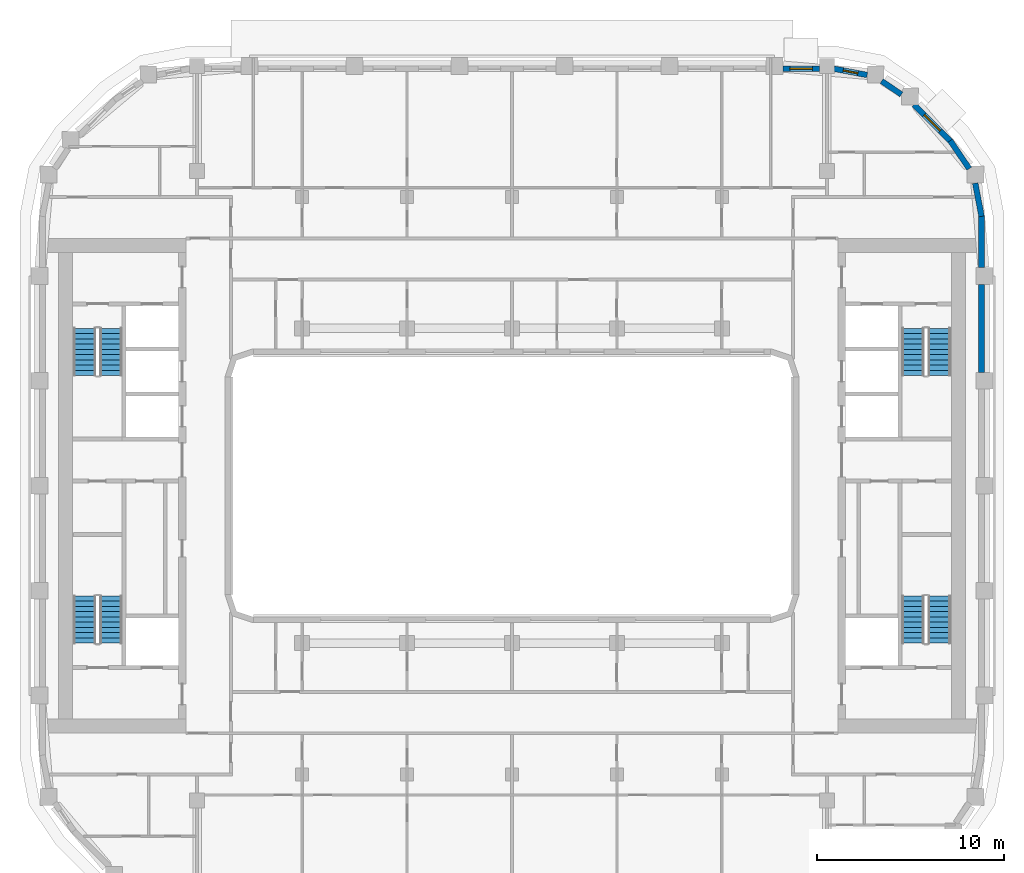
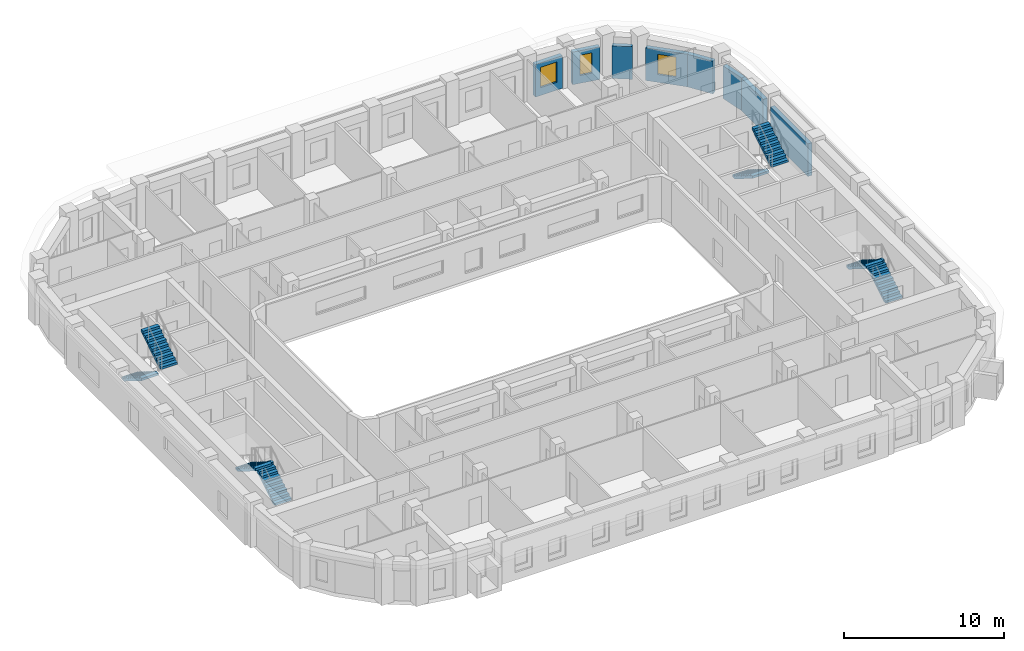
# One storey, part 9 of 21: 8 stair flights, 8 walls, 3 windows, 3 openings, 4 elements without a shape of their own.
"""IFC4 building model written with IfcOpenShell, lengths in metres."""

import ifcopenshell
import ifcopenshell.guid

model = None  # the IFC model being written
_history = None  # IfcOwnerHistory: only IFC2X3 demands one
_inside = {}  # id of a spatial element -> (the spatial element, [elements in it])
_under = {}  # id of a project, library or spatial element -> (it, [spatial elements below it])
_declared = {}  # id of a project -> (the project, [libraries it declares])
_typed = {}  # id of a type object -> (the type object, [elements of that type])
_made_of = {}  # id of a material, layer set ... -> (it, [elements and type objects made of it])


def new_model(schema):
    """Start an empty IFC model of exactly this schema.

    Asked for "IFC4X3", IfcOpenShell would pick the latest addendum, in which some entities
    have other attributes; the version numbers below select the first issue.
    IFC2X3 requires an IfcOwnerHistory on every rooted entity: one is made here for all.
    """
    global model, _history
    if schema == "IFC4X3":
        model = ifcopenshell.file(schema_version=(4, 3, 0, 0))
    else:
        model = ifcopenshell.file(schema=schema)
    _inside.clear()
    _under.clear()
    _declared.clear()
    _typed.clear()
    _made_of.clear()
    _history = None
    if model.schema == "IFC2X3":
        org = make("IfcOrganization", Name="unknown")
        user = make(
            "IfcPersonAndOrganization",
            ThePerson=make("IfcPerson", FamilyName="unknown"),
            TheOrganization=org,
        )
        app = make(
            "IfcApplication",
            ApplicationDeveloper=org,
            Version="unknown",
            ApplicationFullName="unknown",
            ApplicationIdentifier="unknown",
        )
        _history = make(
            "IfcOwnerHistory",
            OwningUser=user,
            OwningApplication=app,
            ChangeAction="ADDED",
            CreationDate=0,
        )
    return model


def make(cls, **values):
    """One entity of the class cls with the attributes given. An attribute that is None is left unset."""
    return model.create_entity(
        cls, **{name: value for name, value in values.items() if value is not None}
    )


def rooted(cls, **values):
    """An entity with a GlobalId (a new one), such as an element, a storey or a relation."""
    return make(cls, GlobalId=ifcopenshell.guid.new(), OwnerHistory=_history, **values)


def si_unit(unit_type, name, prefix=None):
    """IfcSIUnit, for example si_unit("LENGTHUNIT", "METRE", prefix="MILLI")."""
    return make("IfcSIUnit", UnitType=unit_type, Prefix=prefix, Name=name)


def assignment(units):
    """IfcUnitAssignment: the units of a project."""
    return None if units is None else make("IfcUnitAssignment", Units=units)


def point(xyz):
    """IfcCartesianPoint."""
    return None if xyz is None else make("IfcCartesianPoint", Coordinates=xyz)


def direction(xyz):
    """IfcDirection."""
    return None if xyz is None else make("IfcDirection", DirectionRatios=xyz)


def frame(location, z_axis=None, x_axis=None):
    """IfcAxis2Placement3D, a coordinate frame: its origin and axes. An axis left out is left unset."""
    return make(
        "IfcAxis2Placement3D",
        Location=point(location),
        Axis=direction(z_axis),
        RefDirection=direction(x_axis),
    )


def frame_2d(location, x_axis=None):
    """IfcAxis2Placement2D, a coordinate frame in the plane: its origin and x axis."""
    return make(
        "IfcAxis2Placement2D", Location=point(location), RefDirection=direction(x_axis)
    )


def origin():
    """The frame at (0, 0, 0) with its axes left unset."""
    return frame((0.0, 0.0, 0.0))


def place(relative_to, where):
    """IfcLocalPlacement: puts the frame where relative to a parent placement (None: the world)."""
    return make(
        "IfcLocalPlacement", PlacementRelTo=relative_to, RelativePlacement=where
    )


def context(
    kind, dimensions, precision=None, world=None, true_north=None, identifier=None
):
    """IfcGeometricRepresentationContext, for example the 3D "Model" context."""
    return make(
        "IfcGeometricRepresentationContext",
        ContextIdentifier=identifier,
        ContextType=kind,
        CoordinateSpaceDimension=dimensions,
        Precision=precision,
        WorldCoordinateSystem=world,
        TrueNorth=true_north,
    )


def subcontext(parent, identifier, kind, view, scale=None):
    """IfcGeometricRepresentationSubContext, for example "Body" below "Model"."""
    return make(
        "IfcGeometricRepresentationSubContext",
        ContextIdentifier=identifier,
        ContextType=kind,
        ParentContext=parent,
        TargetScale=scale,
        TargetView=view,
    )


def project(units=None, contexts=None):
    """IfcProject with its units and contexts."""
    return rooted(
        "IfcProject",
        Name="project",
        RepresentationContexts=contexts,
        UnitsInContext=assignment(units),
    )


def spatial(cls, under=None, at=None, **own):
    """A site, building, storey or space (cls), placed at a placement, below another one or the project."""
    s = rooted(cls, ObjectPlacement=at, **own)
    if under is not None:
        _under.setdefault(under.id(), (under, []))[1].append(s)
    return s


def polyline(points):
    """IfcPolyline through the points."""
    return make("IfcPolyline", Points=[point(p) for p in points])


def profile(cls, at=None, kind="AREA", **sizes):
    """A parametric profile (cls). Its sizes go by their IFC names, for example OverallWidth=200.0."""
    return make(cls, ProfileType=kind, Position=at, **sizes)


def rectangle(**sizes):
    """IfcRectangleProfileDef."""
    return profile("IfcRectangleProfileDef", **sizes)


def outline(outer, holes=None, kind="AREA"):
    """IfcArbitraryClosedProfileDef: a profile drawn as a closed curve; with holes, ...WithVoids."""
    if holes is None:
        return make("IfcArbitraryClosedProfileDef", ProfileType=kind, OuterCurve=outer)
    return make(
        "IfcArbitraryProfileDefWithVoids",
        ProfileType=kind,
        OuterCurve=outer,
        InnerCurves=holes,
    )


def extrude(swept, where, along, depth):
    """IfcExtrudedAreaSolid: the profile swept, set in the frame where, extruded along a direction by depth."""
    return make(
        "IfcExtrudedAreaSolid",
        SweptArea=swept,
        Position=where,
        ExtrudedDirection=direction(along),
        Depth=depth,
    )


def shape(context_of_items, identifier, shape_type, items):
    """IfcShapeRepresentation: the items that make up one representation, for example the "Body"."""
    return make(
        "IfcShapeRepresentation",
        ContextOfItems=context_of_items,
        RepresentationIdentifier=identifier,
        RepresentationType=shape_type,
        Items=items,
    )


def material(Name=None, Category=None):
    """IfcMaterial."""
    return make("IfcMaterial", Name=Name, Category=Category)


def layer(
    of_material, thickness, ventilated=None, Name=None, Category=None, Priority=None
):
    """IfcMaterialLayer: one layer of a wall or slab, of a material (None: an air gap)."""
    return make(
        "IfcMaterialLayer",
        Material=of_material,
        LayerThickness=thickness,
        IsVentilated=ventilated,
        Name=Name,
        Category=Category,
        Priority=Priority,
    )


def layer_set(layers, Name=None):
    """IfcMaterialLayerSet."""
    return make("IfcMaterialLayerSet", MaterialLayers=layers, LayerSetName=Name)


def made_of(thing, what):
    """Note that an element or type object is made of a material, layer set ...; save() writes the relation."""
    if what is not None:
        _made_of.setdefault(what.id(), (what, []))[1].append(thing)
    return thing


def type_object(cls, material=None, **own):
    """A type object (cls), such as IfcWallType, which elements share."""
    return made_of(rooted(cls, **own), material)


def element(
    cls,
    number,
    at=None,
    inside=None,
    cuts=None,
    type_object=None,
    material=None,
    context=None,
    identifier="Body",
    shape_type=None,
    held_by="IfcProductDefinitionShape",
    body=None,
    shapes=None,
    **own,
):
    """One element of the class cls, such as IfcWall. Its Tag is "e" and its number.

    at: its placement. inside: the storey or other place that contains it. cuts: it is an
    opening in that element (IfcRelVoidsElement). A single representation is given by context,
    identifier, shape_type and body (its items); several are given by shapes. held_by: the class
    of the entity that holds the representations. save() writes the other relations.
    """
    e = rooted(cls, Tag="e%d" % number, ObjectPlacement=at, **own)
    if body is not None:
        shapes = [shape(context, identifier, shape_type, body)]
    if shapes is not None:
        e.Representation = make(held_by, Representations=shapes)
    if inside is not None:
        _inside.setdefault(inside.id(), (inside, []))[1].append(e)
    if cuts is not None:
        rooted(
            "IfcRelVoidsElement", RelatingBuildingElement=cuts, RelatedOpeningElement=e
        )
    if type_object is not None:
        _typed.setdefault(type_object.id(), (type_object, []))[1].append(e)
    return made_of(e, material)


def fill(opening, filler):
    """IfcRelFillsElement: the door or window that sits in an opening."""
    return rooted(
        "IfcRelFillsElement",
        RelatingOpeningElement=opening,
        RelatedBuildingElement=filler,
    )


def aggregate(whole, parts):
    """IfcRelAggregates: a whole, such as a stair, and the parts it consists of."""
    return rooted("IfcRelAggregates", RelatingObject=whole, RelatedObjects=parts)


def save(model, path):
    """Write the relations noted so far, then the file.

    IfcRelAggregates (storeys below a building ...), IfcRelContainedInSpatialStructure (elements
    in a storey), IfcRelDefinesByType, IfcRelAssociatesMaterial and IfcRelDeclares: one each for
    every whole, place, type object, material and project.
    """
    for whole, parts in _under.values():
        aggregate(whole, parts)
    for where, things in _inside.values():
        rooted(
            "IfcRelContainedInSpatialStructure",
            RelatedElements=things,
            RelatingStructure=where,
        )
    for kind, things in _typed.values():
        rooted("IfcRelDefinesByType", RelatedObjects=things, RelatingType=kind)
    for what, things in _made_of.values():
        rooted("IfcRelAssociatesMaterial", RelatedObjects=things, RelatingMaterial=what)
    for by, libraries in _declared.values():
        rooted("IfcRelDeclares", RelatingContext=by, RelatedDefinitions=libraries)
    model.write(path)


model = new_model("IFC4")

# Units and contexts
model_context = context("Model", 3, precision=1e-05, world=origin(), true_north=direction((0.0, 1.0)))
body_context = subcontext(model_context, "Body", "Model", "MODEL_VIEW")
ifc_project = project(units=[si_unit("LENGTHUNIT", "METRE"), si_unit("AREAUNIT", "SQUARE_METRE"), si_unit("VOLUMEUNIT", "CUBIC_METRE"), si_unit("PLANEANGLEUNIT", "RADIAN"), si_unit("MASSUNIT", "GRAM", prefix="KILO")], contexts=[model_context])

# Site, building, storey
site_placement = place(None, origin())
site = spatial("IfcSite", under=ifc_project, at=site_placement, CompositionType="ELEMENT")
building_placement = place(site_placement, origin())
building = spatial("IfcBuilding", under=site, at=building_placement, Name="Kiln Ring Residences", CompositionType="ELEMENT")
storey_placement = place(building_placement, frame((0.0, 0.0, 202.89990234375)))
storey = spatial("IfcBuildingStorey", under=building, at=storey_placement, Name="L52", CompositionType="ELEMENT", Elevation=202.89990234375)

# Walls
ifc_material_1 = material(Name="Brick masonry, dark clay brick", Category="masonry")
ifc_layer = layer(ifc_material_1, 0.300048828125)
ifc_layer_set = layer_set([ifc_layer], Name="EW-300 BRICK WALL")
wall_type = type_object("IfcWallType", Name="EW-300 BRICK WALL", PredefinedType="SOLIDWALL", material=ifc_layer_set)
wall_1_placement = place(storey_placement, frame((25.050048828125, 6.050048828125, 0.0), z_axis=(0.0, 0.0, 1.0), x_axis=(0.0, 1.0, 0.0)))
element("IfcWall", 1, at=wall_1_placement, inside=storey, type_object=wall_type, Name="Facade wall L52 20", PredefinedType="SOLIDWALL", context=body_context, shape_type="SweptSolid", body=[
    extrude(rectangle(XDim=4.699951171875, YDim=0.300048828125, at=frame_2d((2.35009765625, 0.0))), origin(), (0.0, 0.0, 1.0), 2.5),
])
wall_2_placement = place(storey_placement, frame((25.050048828125, 11.64990234375, 0.0), z_axis=(0.0, 0.0, 1.0), x_axis=(0.0, 1.0, 0.0)))
element("IfcWall", 2, at=wall_2_placement, inside=storey, type_object=wall_type, Name="Facade wall L52 21", PredefinedType="SOLIDWALL", context=body_context, shape_type="SweptSolid", body=[
    extrude(rectangle(XDim=2.75, YDim=0.300048828125, at=frame_2d((1.375, 0.0))), origin(), (0.0, 0.0, 1.0), 2.5),
])
for number, where, z_axis, x_axis, name in (
    (3, (25.052734375, 14.371826171875, 0.0), (0.0, 0.0, 1.0), (-0.187348135549, 0.982293579388, 0.0), "Facade wall L52 22"),
    (4, (24.39404296875, 16.9189453125, 0.0), (0.0, 0.0, 1.0), (-0.562040093569, 0.827109988588, 0.0), "Facade wall L52 23"),
):
    element("IfcWall", number, at=place(storey_placement, frame(where, z_axis=z_axis, x_axis=x_axis)), inside=storey, type_object=wall_type, Name=name, PredefinedType="SOLIDWALL", context=body_context, shape_type="SweptSolid", body=[
        extrude(rectangle(XDim=1.80615234375, YDim=0.300048828125, at=frame_2d((0.903076171875, 0.0))), origin(), (0.0, 0.0, 1.0), 2.5),
    ])

# Wall, opening, window
wall_3_placement = place(storey_placement, frame((23.39697265625, 18.390869140625, 0.0), z_axis=(0.0, 0.0, 1.0), x_axis=(-0.707106781187, 0.707106781187, 0.0)))
wall_3 = element("IfcWall", 5, at=wall_3_placement, inside=storey, type_object=wall_type, Name="Facade wall L52 24", PredefinedType="SOLIDWALL", context=body_context, shape_type="SweptSolid", body=[
    extrude(rectangle(XDim=2.75, YDim=0.300048828125, at=frame_2d((1.375, 0.0))), origin(), (0.0, 0.0, 1.0), 2.5),
])
opening_1_placement = place(wall_3_placement, frame((0.77490234375, 0.0, 0.60009765625)))
opening_1 = element("IfcOpeningElement", 6, at=opening_1_placement, cuts=wall_3, Name="Opening W1", PredefinedType="OPENING", context=body_context, shape_type="SweptSolid", body=[
    extrude(rectangle(XDim=1.199951171875, YDim=1.550048828125, at=frame_2d((0.60009765625, 0.77490234375))), frame((0.0, 0.159912109375, 0.0), z_axis=(0.0, -1.0, 0.0), x_axis=(1.0, 0.0, 0.0)), (0.0, 0.0, 1.0), 0.320068359375),
])
ifc_material_2 = material(Name="Aluminium frame with double glazing", Category="aluminium")
window_type_1 = type_object("IfcWindowType", Name="WINDOW 1200 x 1550", PartitioningType="SINGLE_PANEL", PredefinedType="WINDOW", material=ifc_material_2)
window_1_placement = place(opening_1_placement, origin())
window_1 = element("IfcWindow", 7, at=window_1_placement, inside=storey, type_object=window_type_1, Name="Window L52 17", OverallHeight=1.550048828125, OverallWidth=1.199951171875, PartitioningType="SINGLE_PANEL", PredefinedType="WINDOW", context=body_context, shape_type="SweptSolid", body=[
    extrude(rectangle(XDim=1.199951171875, YDim=1.550048828125, at=frame_2d((0.60009765625, 0.77490234375))), frame((0.0, 0.030029296875, 0.0), z_axis=(0.0, -1.0, 0.0), x_axis=(1.0, 0.0, 0.0)), (0.0, 0.0, 1.0), 0.06005859375),
])
fill(opening_1, window_1)

# Wall
wall_4_placement = place(storey_placement, frame((20.775146484375, 20.876220703125, 0.0), z_axis=(0.0, 0.0, 1.0), x_axis=(-0.827075824828, 0.562090366388, 0.0)))
element("IfcWall", 8, at=wall_4_placement, inside=storey, type_object=wall_type, Name="Facade wall L52 25", PredefinedType="SOLIDWALL", context=body_context, shape_type="SweptSolid", body=[
    extrude(rectangle(XDim=1.27685546875, YDim=0.300048828125, at=frame_2d((0.638427734375, 0.0))), origin(), (0.0, 0.0, 1.0), 2.5),
])

# Wall, opening, window
wall_5_placement = place(storey_placement, frame((18.946044921875, 21.914306640625, 0.0), z_axis=(0.0, 0.0, 1.0), x_axis=(-0.98230529033, 0.187286722942, 0.0)))
wall_5 = element("IfcWall", 9, at=wall_5_placement, inside=storey, type_object=wall_type, Name="Facade wall L52 26", PredefinedType="SOLIDWALL", context=body_context, shape_type="SweptSolid", body=[
    extrude(rectangle(XDim=1.798828125, YDim=0.300048828125, at=frame_2d((0.8994140625, 0.0))), origin(), (0.0, 0.0, 1.0), 2.5),
])
opening_2_placement = place(wall_5_placement, frame((0.49951171875, 0.0, 0.60009765625)))
opening_2 = element("IfcOpeningElement", 10, at=opening_2_placement, cuts=wall_5, Name="Opening W5", PredefinedType="OPENING", context=body_context, shape_type="SweptSolid", body=[
    extrude(rectangle(XDim=0.800048828125, YDim=1.550048828125, at=frame_2d((0.39990234375, 0.77490234375))), frame((0.0, 0.159912109375, 0.0), z_axis=(0.0, -1.0, 0.0), x_axis=(1.0, 0.0, 0.0)), (0.0, 0.0, 1.0), 0.320068359375),
])
ifc_material_3 = material(Name="Aluminium frame with double glazing", Category="aluminium")
window_type_2 = type_object("IfcWindowType", Name="WINDOW 800 x 1550", PartitioningType="SINGLE_PANEL", PredefinedType="WINDOW", material=ifc_material_3)
window_2_placement = place(opening_2_placement, origin())
window_2 = element("IfcWindow", 11, at=window_2_placement, inside=storey, type_object=window_type_2, Name="Window L52 18", OverallHeight=1.550048828125, OverallWidth=0.800048828125, PartitioningType="SINGLE_PANEL", PredefinedType="WINDOW", context=body_context, shape_type="SweptSolid", body=[
    extrude(rectangle(XDim=0.800048828125, YDim=1.550048828125, at=frame_2d((0.39990234375, 0.77490234375))), frame((0.0, 0.030029296875, 0.0), z_axis=(0.0, -1.0, 0.0), x_axis=(1.0, 0.0, 0.0)), (0.0, 0.0, 1.0), 0.06005859375),
])
fill(opening_2, window_2)

wall_6_placement = place(storey_placement, frame((16.39990234375, 22.25, 0.0), z_axis=(0.0, 0.0, 1.0), x_axis=(-1.0, 0.0, 0.0)))
wall_6 = element("IfcWall", 12, at=wall_6_placement, inside=storey, type_object=wall_type, Name="Facade wall L52 27", PredefinedType="SOLIDWALL", context=body_context, shape_type="SweptSolid", body=[
    extrude(rectangle(XDim=1.949951171875, YDim=0.300048828125, at=frame_2d((0.97509765625, 0.0))), origin(), (0.0, 0.0, 1.0), 2.5),
])
opening_3_placement = place(wall_6_placement, frame((0.375, 0.0, 0.60009765625)))
opening_3 = element("IfcOpeningElement", 13, at=opening_3_placement, cuts=wall_6, Name="Opening W1", PredefinedType="OPENING", context=body_context, shape_type="SweptSolid", body=[
    extrude(rectangle(XDim=1.199951171875, YDim=1.550048828125, at=frame_2d((0.60009765625, 0.77490234375))), frame((0.0, 0.159912109375, 0.0), z_axis=(0.0, -1.0, 0.0), x_axis=(1.0, 0.0, 0.0)), (0.0, 0.0, 1.0), 0.320068359375),
])
window_3_placement = place(opening_3_placement, origin())
window_3 = element("IfcWindow", 14, at=window_3_placement, inside=storey, type_object=window_type_1, Name="Window L52 19", OverallHeight=1.550048828125, OverallWidth=1.199951171875, PartitioningType="SINGLE_PANEL", PredefinedType="WINDOW", context=body_context, shape_type="SweptSolid", body=[
    extrude(rectangle(XDim=1.199951171875, YDim=1.550048828125, at=frame_2d((0.60009765625, 0.77490234375))), frame((0.0, 0.030029296875, 0.0), z_axis=(0.0, -1.0, 0.0), x_axis=(1.0, 0.0, 0.0)), (0.0, 0.0, 1.0), 0.06005859375),
])
fill(opening_3, window_3)

# Stair, stair flights
ifc_material_4 = material(Name="Concrete C40/50", Category="concrete")
stair_type = type_object("IfcStairType", Name="CORE-STAIR", PredefinedType="HALF_TURN_STAIR", material=ifc_material_4)
placement = place(storey_placement, origin())
stair_1 = element("IfcStair", 15, at=placement, inside=storey, type_object=stair_type, Name="L52 stair W-STN", PredefinedType="HALF_TURN_STAIR")
ifc_material_5 = material(Name="Concrete C40/50", Category="concrete")
stair_flight_type = type_object("IfcStairFlightType", Name="CORE-STAIR-FLIGHT", PredefinedType="STRAIGHT", material=ifc_material_5)
stair_flight_1_placement = place(storey_placement, frame((-22.800048828125, 8.39990234375, 0.0), z_axis=(0.0, 0.0, 1.0), x_axis=(0.0, -1.0, 0.0)))
stair_flight_1 = element("IfcStairFlight", 16, at=stair_flight_1_placement, type_object=stair_flight_type, Name="W-STN flight 1", NumberOfRisers=10, NumberOfTreads=9, PredefinedType="STRAIGHT", RiserHeight=0.175, TreadLength=0.28, context=body_context, shape_type="SweptSolid", body=[
    extrude(outline(polyline([(0.0, 0.0), (0.0, 0.175048828125), (0.280029296875, 0.175048828125), (0.280029296875, 0.35009765625), (0.56005859375, 0.35009765625), (0.56005859375, 0.52490234375), (0.840087890625, 0.52490234375), (0.840087890625, 0.699951171875), (1.1201171875, 0.699951171875), (1.1201171875, 0.875), (1.39990234375, 0.875), (1.39990234375, 1.050048828125), (1.679931640625, 1.050048828125), (1.679931640625, 1.22509765625), (1.9599609375, 1.22509765625), (1.9599609375, 1.39990234375), (2.239990234375, 1.39990234375), (2.239990234375, 1.574951171875), (2.52001953125, 1.574951171875), (2.52001953125, 1.75), (2.52001953125, 1.398193359375), (0.28271484375, 0.0), (0.0, 0.0)])), frame((0.0, 0.60009765625, 0.0), z_axis=(0.0, -1.0, 0.0), x_axis=(1.0, 0.0, 0.0)), (0.0, 0.0, 1.0), 1.199951171875),
])
stair_flight_2_placement = place(storey_placement, frame((-21.39990234375, 5.8798828125, 1.75), z_axis=(0.0, 0.0, 1.0), x_axis=(0.0, 1.0, 0.0)))
stair_flight_2 = element("IfcStairFlight", 17, at=stair_flight_2_placement, type_object=stair_flight_type, Name="W-STN flight 2", NumberOfRisers=10, NumberOfTreads=9, PredefinedType="STRAIGHT", RiserHeight=0.175, TreadLength=0.28, context=body_context, shape_type="SweptSolid", body=[
    extrude(outline(polyline([(0.0, 0.0), (0.0, 0.175048828125), (0.280029296875, 0.175048828125), (0.280029296875, 0.35009765625), (0.56005859375, 0.35009765625), (0.56005859375, 0.52490234375), (0.840087890625, 0.52490234375), (0.840087890625, 0.699951171875), (1.1201171875, 0.699951171875), (1.1201171875, 0.875), (1.39990234375, 0.875), (1.39990234375, 1.050048828125), (1.679931640625, 1.050048828125), (1.679931640625, 1.22509765625), (1.9599609375, 1.22509765625), (1.9599609375, 1.39990234375), (2.239990234375, 1.39990234375), (2.239990234375, 1.574951171875), (2.52001953125, 1.574951171875), (2.52001953125, 1.75), (2.52001953125, 1.398193359375), (0.28271484375, 0.0), (0.0, 0.0)])), frame((0.0, 0.60009765625, 0.0), z_axis=(0.0, -1.0, 0.0), x_axis=(1.0, 0.0, 0.0)), (0.0, 0.0, 1.0), 1.199951171875),
])
aggregate(stair_1, [stair_flight_1, stair_flight_2])

stair_2 = element("IfcStair", 18, at=placement, inside=storey, type_object=stair_type, Name="L52 stair W-STS", PredefinedType="HALF_TURN_STAIR")
stair_flight_3_placement = place(storey_placement, frame((-21.39990234375, -8.39990234375, 0.0), z_axis=(0.0, 0.0, 1.0), x_axis=(0.0, 1.0, 0.0)))
stair_flight_3 = element("IfcStairFlight", 19, at=stair_flight_3_placement, type_object=stair_flight_type, Name="W-STS flight 1", NumberOfRisers=10, NumberOfTreads=9, PredefinedType="STRAIGHT", RiserHeight=0.175, TreadLength=0.28, context=body_context, shape_type="SweptSolid", body=[
    extrude(outline(polyline([(0.0, 0.0), (0.0, 0.175048828125), (0.280029296875, 0.175048828125), (0.280029296875, 0.35009765625), (0.56005859375, 0.35009765625), (0.56005859375, 0.52490234375), (0.840087890625, 0.52490234375), (0.840087890625, 0.699951171875), (1.1201171875, 0.699951171875), (1.1201171875, 0.875), (1.39990234375, 0.875), (1.39990234375, 1.050048828125), (1.679931640625, 1.050048828125), (1.679931640625, 1.22509765625), (1.9599609375, 1.22509765625), (1.9599609375, 1.39990234375), (2.239990234375, 1.39990234375), (2.239990234375, 1.574951171875), (2.52001953125, 1.574951171875), (2.52001953125, 1.75), (2.52001953125, 1.398193359375), (0.28271484375, 0.0), (0.0, 0.0)])), frame((0.0, 0.60009765625, 0.0), z_axis=(0.0, -1.0, 0.0), x_axis=(1.0, 0.0, 0.0)), (0.0, 0.0, 1.0), 1.199951171875),
])
stair_flight_4_placement = place(storey_placement, frame((-22.800048828125, -5.8798828125, 1.75), z_axis=(0.0, 0.0, 1.0), x_axis=(0.0, -1.0, 0.0)))
stair_flight_4 = element("IfcStairFlight", 20, at=stair_flight_4_placement, type_object=stair_flight_type, Name="W-STS flight 2", NumberOfRisers=10, NumberOfTreads=9, PredefinedType="STRAIGHT", RiserHeight=0.175, TreadLength=0.28, context=body_context, shape_type="SweptSolid", body=[
    extrude(outline(polyline([(0.0, 0.0), (0.0, 0.175048828125), (0.280029296875, 0.175048828125), (0.280029296875, 0.35009765625), (0.56005859375, 0.35009765625), (0.56005859375, 0.52490234375), (0.840087890625, 0.52490234375), (0.840087890625, 0.699951171875), (1.1201171875, 0.699951171875), (1.1201171875, 0.875), (1.39990234375, 0.875), (1.39990234375, 1.050048828125), (1.679931640625, 1.050048828125), (1.679931640625, 1.22509765625), (1.9599609375, 1.22509765625), (1.9599609375, 1.39990234375), (2.239990234375, 1.39990234375), (2.239990234375, 1.574951171875), (2.52001953125, 1.574951171875), (2.52001953125, 1.75), (2.52001953125, 1.398193359375), (0.28271484375, 0.0), (0.0, 0.0)])), frame((0.0, 0.60009765625, 0.0), z_axis=(0.0, -1.0, 0.0), x_axis=(1.0, 0.0, 0.0)), (0.0, 0.0, 1.0), 1.199951171875),
])
aggregate(stair_2, [stair_flight_3, stair_flight_4])

stair_3 = element("IfcStair", 21, at=placement, inside=storey, type_object=stair_type, Name="L52 stair E-STN", PredefinedType="HALF_TURN_STAIR")
stair_flight_5_placement = place(storey_placement, frame((21.39990234375, 8.39990234375, 0.0), z_axis=(0.0, 0.0, 1.0), x_axis=(0.0, -1.0, 0.0)))
stair_flight_5 = element("IfcStairFlight", 22, at=stair_flight_5_placement, type_object=stair_flight_type, Name="E-STN flight 1", NumberOfRisers=10, NumberOfTreads=9, PredefinedType="STRAIGHT", RiserHeight=0.175, TreadLength=0.28, context=body_context, shape_type="SweptSolid", body=[
    extrude(outline(polyline([(0.0, 0.0), (0.0, 0.175048828125), (0.280029296875, 0.175048828125), (0.280029296875, 0.35009765625), (0.56005859375, 0.35009765625), (0.56005859375, 0.52490234375), (0.840087890625, 0.52490234375), (0.840087890625, 0.699951171875), (1.1201171875, 0.699951171875), (1.1201171875, 0.875), (1.39990234375, 0.875), (1.39990234375, 1.050048828125), (1.679931640625, 1.050048828125), (1.679931640625, 1.22509765625), (1.9599609375, 1.22509765625), (1.9599609375, 1.39990234375), (2.239990234375, 1.39990234375), (2.239990234375, 1.574951171875), (2.52001953125, 1.574951171875), (2.52001953125, 1.75), (2.52001953125, 1.398193359375), (0.28271484375, 0.0), (0.0, 0.0)])), frame((0.0, 0.60009765625, 0.0), z_axis=(0.0, -1.0, 0.0), x_axis=(1.0, 0.0, 0.0)), (0.0, 0.0, 1.0), 1.199951171875),
])
stair_flight_6_placement = place(storey_placement, frame((22.800048828125, 5.8798828125, 1.75), z_axis=(0.0, 0.0, 1.0), x_axis=(0.0, 1.0, 0.0)))
stair_flight_6 = element("IfcStairFlight", 23, at=stair_flight_6_placement, type_object=stair_flight_type, Name="E-STN flight 2", NumberOfRisers=10, NumberOfTreads=9, PredefinedType="STRAIGHT", RiserHeight=0.175, TreadLength=0.28, context=body_context, shape_type="SweptSolid", body=[
    extrude(outline(polyline([(0.0, 0.0), (0.0, 0.175048828125), (0.280029296875, 0.175048828125), (0.280029296875, 0.35009765625), (0.56005859375, 0.35009765625), (0.56005859375, 0.52490234375), (0.840087890625, 0.52490234375), (0.840087890625, 0.699951171875), (1.1201171875, 0.699951171875), (1.1201171875, 0.875), (1.39990234375, 0.875), (1.39990234375, 1.050048828125), (1.679931640625, 1.050048828125), (1.679931640625, 1.22509765625), (1.9599609375, 1.22509765625), (1.9599609375, 1.39990234375), (2.239990234375, 1.39990234375), (2.239990234375, 1.574951171875), (2.52001953125, 1.574951171875), (2.52001953125, 1.75), (2.52001953125, 1.398193359375), (0.28271484375, 0.0), (0.0, 0.0)])), frame((0.0, 0.60009765625, 0.0), z_axis=(0.0, -1.0, 0.0), x_axis=(1.0, 0.0, 0.0)), (0.0, 0.0, 1.0), 1.199951171875),
])
aggregate(stair_3, [stair_flight_5, stair_flight_6])

stair_4 = element("IfcStair", 24, at=placement, inside=storey, type_object=stair_type, Name="L52 stair E-STS", PredefinedType="HALF_TURN_STAIR")
stair_flight_7_placement = place(storey_placement, frame((22.800048828125, -8.39990234375, 0.0), z_axis=(0.0, 0.0, 1.0), x_axis=(0.0, 1.0, 0.0)))
stair_flight_7 = element("IfcStairFlight", 25, at=stair_flight_7_placement, type_object=stair_flight_type, Name="E-STS flight 1", NumberOfRisers=10, NumberOfTreads=9, PredefinedType="STRAIGHT", RiserHeight=0.175, TreadLength=0.28, context=body_context, shape_type="SweptSolid", body=[
    extrude(outline(polyline([(0.0, 0.0), (0.0, 0.175048828125), (0.280029296875, 0.175048828125), (0.280029296875, 0.35009765625), (0.56005859375, 0.35009765625), (0.56005859375, 0.52490234375), (0.840087890625, 0.52490234375), (0.840087890625, 0.699951171875), (1.1201171875, 0.699951171875), (1.1201171875, 0.875), (1.39990234375, 0.875), (1.39990234375, 1.050048828125), (1.679931640625, 1.050048828125), (1.679931640625, 1.22509765625), (1.9599609375, 1.22509765625), (1.9599609375, 1.39990234375), (2.239990234375, 1.39990234375), (2.239990234375, 1.574951171875), (2.52001953125, 1.574951171875), (2.52001953125, 1.75), (2.52001953125, 1.398193359375), (0.28271484375, 0.0), (0.0, 0.0)])), frame((0.0, 0.60009765625, 0.0), z_axis=(0.0, -1.0, 0.0), x_axis=(1.0, 0.0, 0.0)), (0.0, 0.0, 1.0), 1.199951171875),
])
stair_flight_8_placement = place(storey_placement, frame((21.39990234375, -5.8798828125, 1.75), z_axis=(0.0, 0.0, 1.0), x_axis=(0.0, -1.0, 0.0)))
stair_flight_8 = element("IfcStairFlight", 26, at=stair_flight_8_placement, type_object=stair_flight_type, Name="E-STS flight 2", NumberOfRisers=10, NumberOfTreads=9, PredefinedType="STRAIGHT", RiserHeight=0.175, TreadLength=0.28, context=body_context, shape_type="SweptSolid", body=[
    extrude(outline(polyline([(0.0, 0.0), (0.0, 0.175048828125), (0.280029296875, 0.175048828125), (0.280029296875, 0.35009765625), (0.56005859375, 0.35009765625), (0.56005859375, 0.52490234375), (0.840087890625, 0.52490234375), (0.840087890625, 0.699951171875), (1.1201171875, 0.699951171875), (1.1201171875, 0.875), (1.39990234375, 0.875), (1.39990234375, 1.050048828125), (1.679931640625, 1.050048828125), (1.679931640625, 1.22509765625), (1.9599609375, 1.22509765625), (1.9599609375, 1.39990234375), (2.239990234375, 1.39990234375), (2.239990234375, 1.574951171875), (2.52001953125, 1.574951171875), (2.52001953125, 1.75), (2.52001953125, 1.398193359375), (0.28271484375, 0.0), (0.0, 0.0)])), frame((0.0, 0.60009765625, 0.0), z_axis=(0.0, -1.0, 0.0), x_axis=(1.0, 0.0, 0.0)), (0.0, 0.0, 1.0), 1.199951171875),
])
aggregate(stair_4, [stair_flight_7, stair_flight_8])

save(model, "model.ifc")
